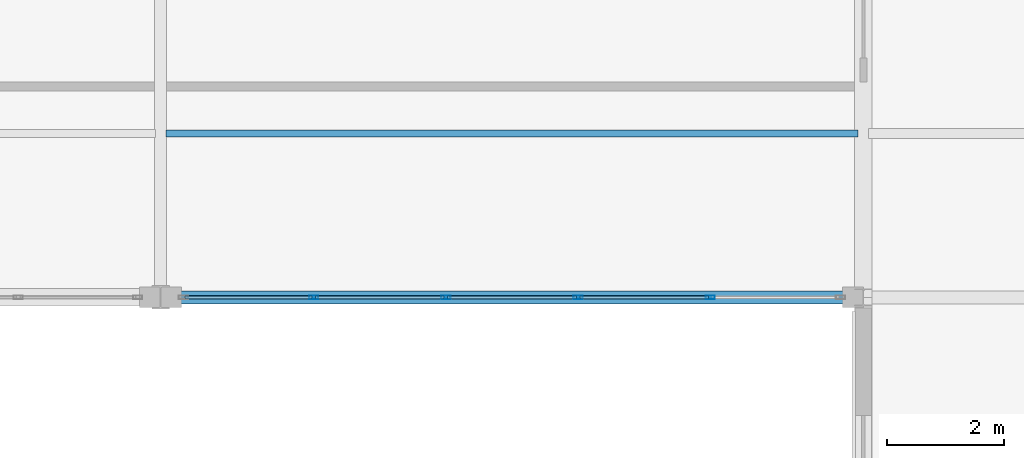
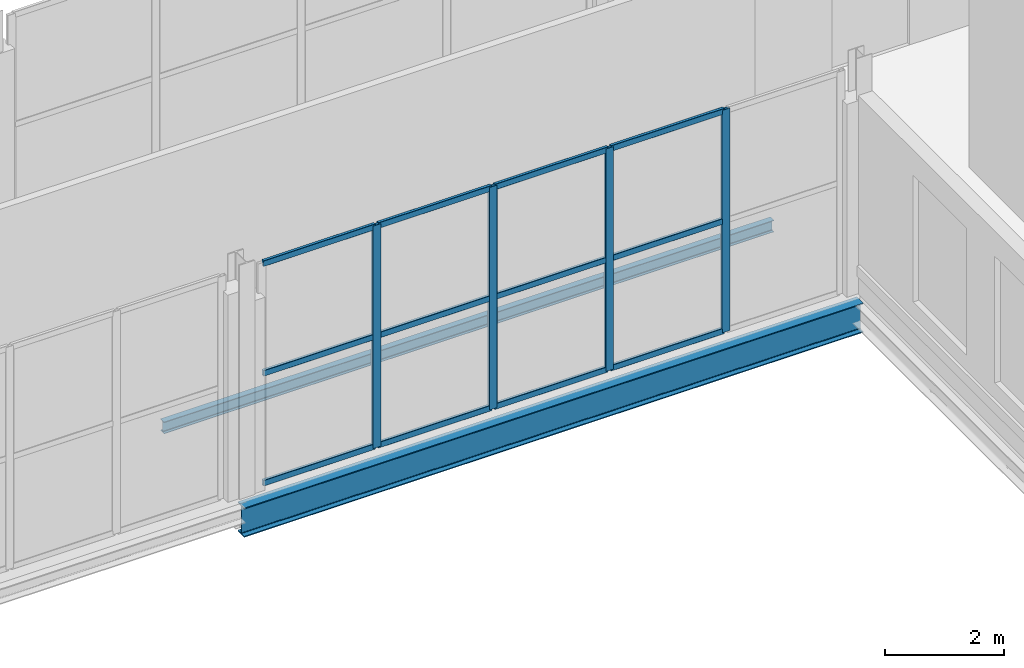
# One storey, part 64 of 120: 16 members, 2 beams, 1 element without a shape of its own.
"""IFC4 building model written with IfcOpenShell, lengths in metres."""

from ifc_helpers import new_model, si_unit, direction, frame, origin, origin_2d, place, context, subcontext, project, spatial, hollow_rectangle, i_section, extrude, material, layer, layer_set, material_profile, profile_set, type_object, element, aggregate, save


model = new_model("IFC4")

# Units and contexts
model_context = context("Model", 3, precision=1e-05, world=origin(), true_north=direction((0.0, 1.0)))
body_context = subcontext(model_context, "Body", "Model", "MODEL_VIEW")
ifc_project = project(units=[si_unit("LENGTHUNIT", "METRE"), si_unit("AREAUNIT", "SQUARE_METRE"), si_unit("VOLUMEUNIT", "CUBIC_METRE"), si_unit("PLANEANGLEUNIT", "RADIAN"), si_unit("MASSUNIT", "GRAM", prefix="KILO")], contexts=[model_context])

# Site, building, storey
site_placement = place(None, origin())
site = spatial("IfcSite", under=ifc_project, at=site_placement, CompositionType="ELEMENT")
building_placement = place(site_placement, origin())
building = spatial("IfcBuilding", under=site, at=building_placement, Name="Vekula Escarpment Museum", CompositionType="ELEMENT")
storey_placement = place(building_placement, frame((0.0, 0.0, 13.199951171875)))
storey = spatial("IfcBuildingStorey", under=building, at=storey_placement, Name="L03", CompositionType="ELEMENT", Elevation=13.199951171875)

# Beams
ifc_material_1 = material(Name="Steel S355", Category="steel")
ifc_material_profile_1 = material_profile(ifc_material_1, i_section(OverallWidth=0.219970703125, OverallDepth=0.60009765625, WebThickness=0.011962890625, FlangeThickness=0.01904296875, FilletRadius=0.02392578125, at=origin_2d()), Name="IPE 600")
ifc_profile_set_1 = profile_set([ifc_material_profile_1], Name="Steel S355")
beam_type_1 = type_object("IfcBeamType", Name="BM-GIRD-IPE600", PredefinedType="BEAM", material=ifc_profile_set_1)
beam_1_placement = place(storey_placement, frame((155.0, 68.0, -0.579833984375), z_axis=(1.0, 0.0, 0.0), x_axis=(0.0, 1.0, 0.0)))
element("IfcBeam", 1, at=beam_1_placement, inside=storey, type_object=beam_type_1, Name="Beam X L03 1372", PredefinedType="BEAM", context=body_context, shape_type="SweptSolid", body=[
    extrude(i_section(OverallWidth=0.219970703125, OverallDepth=0.60009765625, WebThickness=0.011962890625, FlangeThickness=0.01904296875, FilletRadius=0.02392578125, at=origin_2d()), origin(), (0.0, 0.0, 1.0), 12.0),
])
ifc_material_2 = material(Name="Steel S355", Category="steel")
ifc_material_profile_2 = material_profile(ifc_material_2, i_section(OverallWidth=0.1201171875, OverallDepth=0.239990234375, WebThickness=0.006103515625, FlangeThickness=0.009765625, FilletRadius=0.014892578125, at=origin_2d()), Name="IPE 240")
ifc_profile_set_2 = profile_set([ifc_material_profile_2], Name="Steel S355")
beam_type_2 = type_object("IfcBeamType", Name="BM-JST-IPE240", PredefinedType="JOIST", material=ifc_profile_set_2)
beam_2_placement = place(storey_placement, frame((155.090087890625, 70.800048828125, -0.39990234375), z_axis=(1.0, 0.0, 0.0), x_axis=(0.0, 1.0, 0.0)))
element("IfcBeam", 2, at=beam_2_placement, inside=storey, type_object=beam_type_2, Name="Secondary Joist L03 1090", PredefinedType="JOIST", context=body_context, shape_type="SweptSolid", body=[
    extrude(i_section(OverallWidth=0.1201171875, OverallDepth=0.239990234375, WebThickness=0.006103515625, FlangeThickness=0.009765625, FilletRadius=0.014892578125, at=origin_2d()), origin(), (0.0, 0.0, 1.0), 11.81982421875),
])

# Curtain wall, members
ifc_material_3 = material(Name="Aluminium thermally broken framing", Category="aluminium")
ifc_layer = layer(ifc_material_3, 0.199951171875)
ifc_layer_set = layer_set([ifc_layer], Name="Aluminium thermally broken framing")
curtain_wall_type = type_object("IfcCurtainWallType", Name="CW-SYS-04", PredefinedType="NOTDEFINED", material=ifc_layer_set)
curtain_wall_placement = place(storey_placement, origin())
curtain_wall = element("IfcCurtainWall", 3, at=curtain_wall_placement, inside=storey, type_object=curtain_wall_type, Name="Curtain Wall CW-L03-114", PredefinedType="NOTDEFINED")
ifc_material_4 = material(Name="Aluminium anodized mullion", Category="aluminium")
ifc_material_profile_3 = material_profile(ifc_material_4, hollow_rectangle(XDim=0.06005859375, YDim=0.159912109375, WallThickness=0.00390625, InnerFilletRadius=0.00390625, OuterFilletRadius=0.008056640625, at=origin_2d()), Name="ALU 160x60x4")
ifc_profile_set_3 = profile_set([ifc_material_profile_3], Name="Aluminium anodized mullion")
member_type_1 = type_object("IfcMemberType", Name="CW-MUL-160", PredefinedType="MULLION", material=ifc_profile_set_3)
member_1_placement = place(storey_placement, frame((157.615966796875, 68.0, 0.0), z_axis=(0.0, 0.0, 1.0), x_axis=(0.0, 1.0, 0.0)))
member_1 = element("IfcMember", 4, at=member_1_placement, type_object=member_type_1, Name="CW-04 mullion 2", PredefinedType="MULLION", context=body_context, shape_type="SweptSolid", body=[
    extrude(hollow_rectangle(XDim=0.06005859375, YDim=0.159912109375, WallThickness=0.00390625, InnerFilletRadius=0.00390625, OuterFilletRadius=0.008056640625, at=origin_2d()), origin(), (0.0, 0.0, 1.0), 4.56005859375),
])
member_2_placement = place(storey_placement, frame((159.8720703125, 68.0, 0.0), z_axis=(0.0, 0.0, 1.0), x_axis=(0.0, 1.0, 0.0)))
member_2 = element("IfcMember", 5, at=member_2_placement, type_object=member_type_1, Name="CW-04 mullion 3", PredefinedType="MULLION", context=body_context, shape_type="SweptSolid", body=[
    extrude(hollow_rectangle(XDim=0.06005859375, YDim=0.159912109375, WallThickness=0.00390625, InnerFilletRadius=0.00390625, OuterFilletRadius=0.008056640625, at=origin_2d()), origin(), (0.0, 0.0, 1.0), 4.56005859375),
])
member_3_placement = place(storey_placement, frame((162.1279296875, 68.0, 0.0), z_axis=(0.0, 0.0, 1.0), x_axis=(0.0, 1.0, 0.0)))
member_3 = element("IfcMember", 6, at=member_3_placement, type_object=member_type_1, Name="CW-04 mullion 4", PredefinedType="MULLION", context=body_context, shape_type="SweptSolid", body=[
    extrude(hollow_rectangle(XDim=0.06005859375, YDim=0.159912109375, WallThickness=0.00390625, InnerFilletRadius=0.00390625, OuterFilletRadius=0.008056640625, at=origin_2d()), origin(), (0.0, 0.0, 1.0), 4.56005859375),
])
member_4_placement = place(storey_placement, frame((164.384033203125, 68.0, 0.0), z_axis=(0.0, 0.0, 1.0), x_axis=(0.0, 1.0, 0.0)))
member_4 = element("IfcMember", 7, at=member_4_placement, type_object=member_type_1, Name="CW-04 mullion 5", PredefinedType="MULLION", context=body_context, shape_type="SweptSolid", body=[
    extrude(hollow_rectangle(XDim=0.06005859375, YDim=0.159912109375, WallThickness=0.00390625, InnerFilletRadius=0.00390625, OuterFilletRadius=0.008056640625, at=origin_2d()), origin(), (0.0, 0.0, 1.0), 4.56005859375),
])
ifc_material_5 = material(Name="Aluminium anodized transom", Category="aluminium")
ifc_material_profile_4 = material_profile(ifc_material_5, hollow_rectangle(XDim=0.06005859375, YDim=0.1201171875, WallThickness=0.00390625, InnerFilletRadius=0.00390625, OuterFilletRadius=0.008056640625, at=origin_2d()), Name="ALU 120x60x4")
ifc_profile_set_4 = profile_set([ifc_material_profile_4], Name="Aluminium anodized transom")
member_type_2 = type_object("IfcMemberType", Name="CW-TRN-120", PredefinedType="USERDEFINED", material=ifc_profile_set_4)
member_5_placement = place(storey_placement, frame((155.419921875, 68.0, 0.030029296875), z_axis=(1.0, 0.0, 0.0), x_axis=(0.0, 1.0, 0.0)))
member_5 = element("IfcMember", 8, at=member_5_placement, type_object=member_type_2, Name="CW-04 transom 1.1", ObjectType="TRANSOM", PredefinedType="USERDEFINED", context=body_context, shape_type="SweptSolid", body=[
    extrude(hollow_rectangle(XDim=0.06005859375, YDim=0.1201171875, WallThickness=0.00390625, InnerFilletRadius=0.00390625, OuterFilletRadius=0.008056640625, at=origin_2d()), origin(), (0.0, 0.0, 1.0), 2.166015625),
])
member_6_placement = place(storey_placement, frame((155.419921875, 68.0, 2.280029296875), z_axis=(1.0, 0.0, 0.0), x_axis=(0.0, 1.0, 0.0)))
member_6 = element("IfcMember", 9, at=member_6_placement, type_object=member_type_2, Name="CW-04 transom 1.2", ObjectType="TRANSOM", PredefinedType="USERDEFINED", context=body_context, shape_type="SweptSolid", body=[
    extrude(hollow_rectangle(XDim=0.06005859375, YDim=0.1201171875, WallThickness=0.00390625, InnerFilletRadius=0.00390625, OuterFilletRadius=0.008056640625, at=origin_2d()), origin(), (0.0, 0.0, 1.0), 2.166015625),
])
member_7_placement = place(storey_placement, frame((155.419921875, 68.0, 4.530029296875), z_axis=(1.0, 0.0, 0.0), x_axis=(0.0, 1.0, 0.0)))
member_7 = element("IfcMember", 10, at=member_7_placement, type_object=member_type_2, Name="CW-04 transom 1.3", ObjectType="TRANSOM", PredefinedType="USERDEFINED", context=body_context, shape_type="SweptSolid", body=[
    extrude(hollow_rectangle(XDim=0.06005859375, YDim=0.1201171875, WallThickness=0.00390625, InnerFilletRadius=0.00390625, OuterFilletRadius=0.008056640625, at=origin_2d()), origin(), (0.0, 0.0, 1.0), 2.166015625),
])
member_8_placement = place(storey_placement, frame((157.64599609375, 68.0, 0.030029296875), z_axis=(1.0, 0.0, 0.0), x_axis=(0.0, 1.0, 0.0)))
member_8 = element("IfcMember", 11, at=member_8_placement, type_object=member_type_2, Name="CW-04 transom 2.1", ObjectType="TRANSOM", PredefinedType="USERDEFINED", context=body_context, shape_type="SweptSolid", body=[
    extrude(hollow_rectangle(XDim=0.06005859375, YDim=0.1201171875, WallThickness=0.00390625, InnerFilletRadius=0.00390625, OuterFilletRadius=0.008056640625, at=origin_2d()), origin(), (0.0, 0.0, 1.0), 2.196044921875),
])
member_9_placement = place(storey_placement, frame((157.64599609375, 68.0, 2.280029296875), z_axis=(1.0, 0.0, 0.0), x_axis=(0.0, 1.0, 0.0)))
member_9 = element("IfcMember", 12, at=member_9_placement, type_object=member_type_2, Name="CW-04 transom 2.2", ObjectType="TRANSOM", PredefinedType="USERDEFINED", context=body_context, shape_type="SweptSolid", body=[
    extrude(hollow_rectangle(XDim=0.06005859375, YDim=0.1201171875, WallThickness=0.00390625, InnerFilletRadius=0.00390625, OuterFilletRadius=0.008056640625, at=origin_2d()), origin(), (0.0, 0.0, 1.0), 2.196044921875),
])
member_10_placement = place(storey_placement, frame((157.64599609375, 68.0, 4.530029296875), z_axis=(1.0, 0.0, 0.0), x_axis=(0.0, 1.0, 0.0)))
member_10 = element("IfcMember", 13, at=member_10_placement, type_object=member_type_2, Name="CW-04 transom 2.3", ObjectType="TRANSOM", PredefinedType="USERDEFINED", context=body_context, shape_type="SweptSolid", body=[
    extrude(hollow_rectangle(XDim=0.06005859375, YDim=0.1201171875, WallThickness=0.00390625, InnerFilletRadius=0.00390625, OuterFilletRadius=0.008056640625, at=origin_2d()), origin(), (0.0, 0.0, 1.0), 2.196044921875),
])
member_11_placement = place(storey_placement, frame((159.902099609375, 68.0, 0.030029296875), z_axis=(1.0, 0.0, 0.0), x_axis=(0.0, 1.0, 0.0)))
member_11 = element("IfcMember", 14, at=member_11_placement, type_object=member_type_2, Name="CW-04 transom 3.1", ObjectType="TRANSOM", PredefinedType="USERDEFINED", context=body_context, shape_type="SweptSolid", body=[
    extrude(hollow_rectangle(XDim=0.06005859375, YDim=0.1201171875, WallThickness=0.00390625, InnerFilletRadius=0.00390625, OuterFilletRadius=0.008056640625, at=origin_2d()), origin(), (0.0, 0.0, 1.0), 2.19580078125),
])
member_12_placement = place(storey_placement, frame((159.902099609375, 68.0, 2.280029296875), z_axis=(1.0, 0.0, 0.0), x_axis=(0.0, 1.0, 0.0)))
member_12 = element("IfcMember", 15, at=member_12_placement, type_object=member_type_2, Name="CW-04 transom 3.2", ObjectType="TRANSOM", PredefinedType="USERDEFINED", context=body_context, shape_type="SweptSolid", body=[
    extrude(hollow_rectangle(XDim=0.06005859375, YDim=0.1201171875, WallThickness=0.00390625, InnerFilletRadius=0.00390625, OuterFilletRadius=0.008056640625, at=origin_2d()), origin(), (0.0, 0.0, 1.0), 2.19580078125),
])
member_13_placement = place(storey_placement, frame((159.902099609375, 68.0, 4.530029296875), z_axis=(1.0, 0.0, 0.0), x_axis=(0.0, 1.0, 0.0)))
member_13 = element("IfcMember", 16, at=member_13_placement, type_object=member_type_2, Name="CW-04 transom 3.3", ObjectType="TRANSOM", PredefinedType="USERDEFINED", context=body_context, shape_type="SweptSolid", body=[
    extrude(hollow_rectangle(XDim=0.06005859375, YDim=0.1201171875, WallThickness=0.00390625, InnerFilletRadius=0.00390625, OuterFilletRadius=0.008056640625, at=origin_2d()), origin(), (0.0, 0.0, 1.0), 2.19580078125),
])
member_14_placement = place(storey_placement, frame((162.157958984375, 68.0, 0.030029296875), z_axis=(1.0, 0.0, 0.0), x_axis=(0.0, 1.0, 0.0)))
member_14 = element("IfcMember", 17, at=member_14_placement, type_object=member_type_2, Name="CW-04 transom 4.1", ObjectType="TRANSOM", PredefinedType="USERDEFINED", context=body_context, shape_type="SweptSolid", body=[
    extrude(hollow_rectangle(XDim=0.06005859375, YDim=0.1201171875, WallThickness=0.00390625, InnerFilletRadius=0.00390625, OuterFilletRadius=0.008056640625, at=origin_2d()), origin(), (0.0, 0.0, 1.0), 2.196044921875),
])
member_15_placement = place(storey_placement, frame((162.157958984375, 68.0, 2.280029296875), z_axis=(1.0, 0.0, 0.0), x_axis=(0.0, 1.0, 0.0)))
member_15 = element("IfcMember", 18, at=member_15_placement, type_object=member_type_2, Name="CW-04 transom 4.2", ObjectType="TRANSOM", PredefinedType="USERDEFINED", context=body_context, shape_type="SweptSolid", body=[
    extrude(hollow_rectangle(XDim=0.06005859375, YDim=0.1201171875, WallThickness=0.00390625, InnerFilletRadius=0.00390625, OuterFilletRadius=0.008056640625, at=origin_2d()), origin(), (0.0, 0.0, 1.0), 2.196044921875),
])
member_16_placement = place(storey_placement, frame((162.157958984375, 68.0, 4.530029296875), z_axis=(1.0, 0.0, 0.0), x_axis=(0.0, 1.0, 0.0)))
member_16 = element("IfcMember", 19, at=member_16_placement, type_object=member_type_2, Name="CW-04 transom 4.3", ObjectType="TRANSOM", PredefinedType="USERDEFINED", context=body_context, shape_type="SweptSolid", body=[
    extrude(hollow_rectangle(XDim=0.06005859375, YDim=0.1201171875, WallThickness=0.00390625, InnerFilletRadius=0.00390625, OuterFilletRadius=0.008056640625, at=origin_2d()), origin(), (0.0, 0.0, 1.0), 2.196044921875),
])
aggregate(curtain_wall, [member_1, member_2, member_3, member_4, member_5, member_6, member_7, member_8, member_9, member_10, member_11, member_12, member_13, member_14, member_15, member_16])

save(model, "model.ifc")
